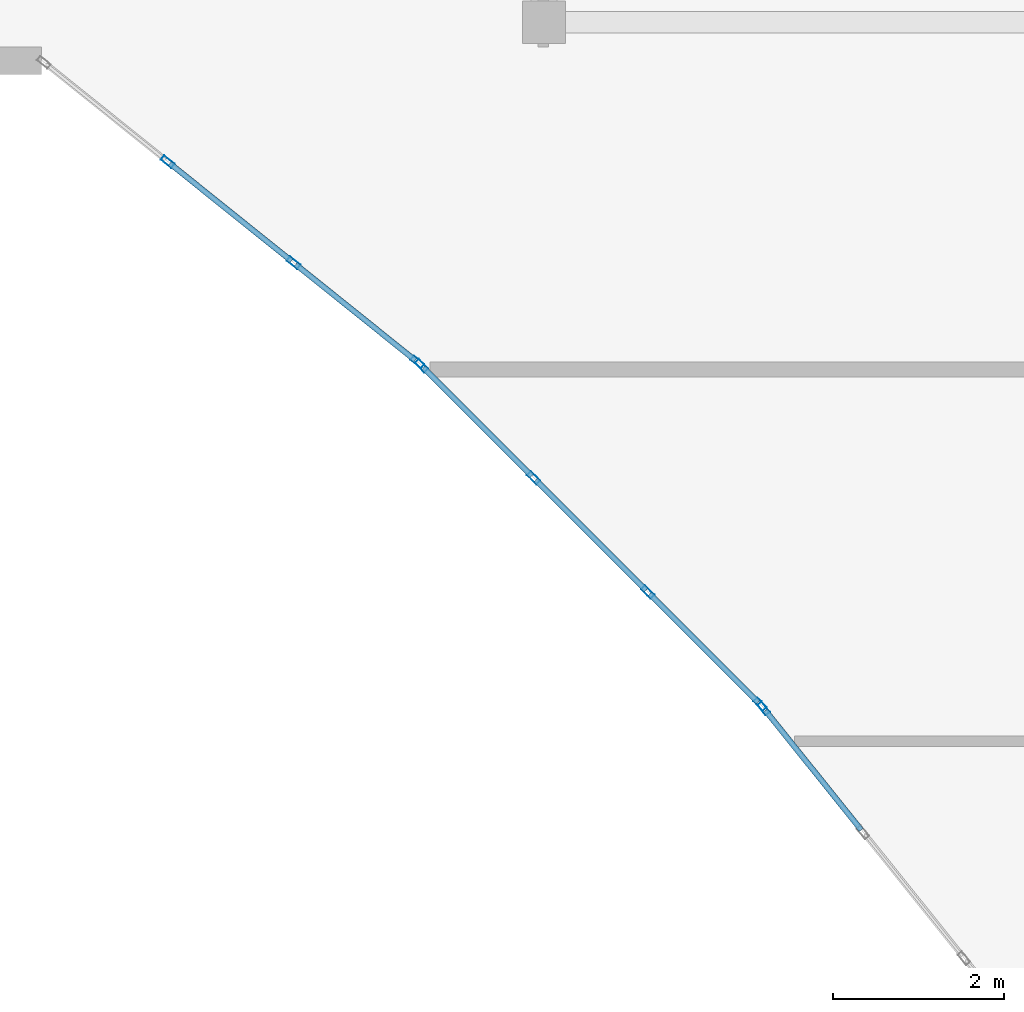
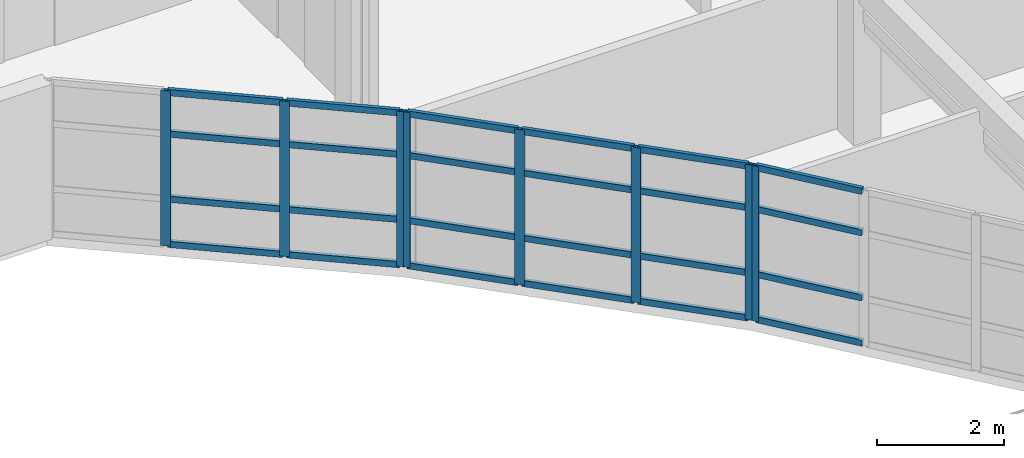
# One storey, part 9 of 30: 32 members, 3 elements without a shape of their own.
"""IFC4 building model written with IfcOpenShell, lengths in metres."""

from ifc_helpers import new_model, si_unit, direction, frame, origin, origin_2d, place, context, subcontext, project, spatial, hollow_rectangle, extrude, material, layer, layer_set, material_profile, profile_set, type_object, element, aggregate, save


model = new_model("IFC4")

# Units and contexts
model_context = context("Model", 3, precision=1e-05, world=origin(), true_north=direction((0.0, 1.0)))
body_context = subcontext(model_context, "Body", "Model", "MODEL_VIEW")
ifc_project = project(units=[si_unit("LENGTHUNIT", "METRE"), si_unit("AREAUNIT", "SQUARE_METRE"), si_unit("VOLUMEUNIT", "CUBIC_METRE"), si_unit("PLANEANGLEUNIT", "RADIAN"), si_unit("MASSUNIT", "GRAM", prefix="KILO")], contexts=[model_context])

# Site, building, storey
site_placement = place(None, origin())
site = spatial("IfcSite", under=ifc_project, at=site_placement, CompositionType="ELEMENT")
building_placement = place(site_placement, origin())
building = spatial("IfcBuilding", under=site, at=building_placement, Name="Keldmere Railside Commons", CompositionType="ELEMENT")
storey_placement = place(building_placement, frame((0.0, 0.0, 36.159912109375)))
storey = spatial("IfcBuildingStorey", under=building, at=storey_placement, Name="L11", CompositionType="ELEMENT", Elevation=36.159912109375)

# Curtain wall, members
ifc_material = material(Name="Thermally Broken Aluminium", Category="aluminium")
ifc_layer_1 = layer(ifc_material, 0.159912109375, Name="Court Chord Wintergarden CW 5400x2850")
ifc_layer_set_1 = layer_set([ifc_layer_1], Name="Thermally Broken Aluminium")
curtain_wall_type_1 = type_object("IfcCurtainWallType", Name="Court Chord Wintergarden CW 5400x2850", PredefinedType="NOTDEFINED", material=ifc_layer_set_1)
curtain_wall_1_placement = place(storey_placement, origin())
curtain_wall_1 = element("IfcCurtainWall", 1, at=curtain_wall_1_placement, inside=storey, type_object=curtain_wall_type_1, Name="CW-13 CW-L11-190", PredefinedType="NOTDEFINED")
ifc_material_profile_1 = material_profile(ifc_material, hollow_rectangle(XDim=0.06494140625, YDim=0.159912109375, WallThickness=0.00390625, at=origin_2d()), Name="ALU-MULL-65x160")
ifc_profile_set_1 = profile_set([ifc_material_profile_1], Name="Thermally Broken Aluminium")
member_type_1 = type_object("IfcMemberType", Name="Unitised Curtain Wall Mullion 65x160", PredefinedType="MULLION", material=ifc_profile_set_1)
member_1_placement = place(storey_placement, frame((160.404541015625, 96.46630859375, 0.0), z_axis=(0.0, 0.0, 1.0), x_axis=(-0.625768080915, -0.780009172323, 0.0)))
member_1 = element("IfcMember", 2, at=member_1_placement, type_object=member_type_1, Name="CW-13 mullion 1", PredefinedType="MULLION", context=body_context, shape_type="SweptSolid", body=[
    extrude(hollow_rectangle(XDim=0.06494140625, YDim=0.159912109375, WallThickness=0.00390625, at=origin_2d()), origin(), (0.0, 0.0, 1.0), 2.97998046875),
])
member_2_placement = place(storey_placement, frame((158.953369140625, 97.630615234375, 0.0), z_axis=(0.0, 0.0, 1.0), x_axis=(-0.625768080915, -0.780009172323, 0.0)))
member_2 = element("IfcMember", 3, at=member_2_placement, type_object=member_type_1, Name="CW-13 mullion 2", PredefinedType="MULLION", context=body_context, shape_type="SweptSolid", body=[
    extrude(hollow_rectangle(XDim=0.06494140625, YDim=0.159912109375, WallThickness=0.00390625, at=origin_2d()), origin(), (0.0, 0.0, 1.0), 2.97998046875),
])
member_3_placement = place(storey_placement, frame((157.4765625, 98.8154296875, 0.0), z_axis=(0.0, 0.0, 1.0), x_axis=(-0.625768080915, -0.780009172323, 0.0)))
member_3 = element("IfcMember", 4, at=member_3_placement, type_object=member_type_1, Name="CW-13 mullion 3", PredefinedType="MULLION", context=body_context, shape_type="SweptSolid", body=[
    extrude(hollow_rectangle(XDim=0.06494140625, YDim=0.159912109375, WallThickness=0.00390625, at=origin_2d()), origin(), (0.0, 0.0, 1.0), 2.97998046875),
])

ifc_layer_2 = layer(ifc_material, 0.159912109375, Name="Court Chord Wintergarden CW 4800x2850")
ifc_layer_set_2 = layer_set([ifc_layer_2], Name="Thermally Broken Aluminium")
curtain_wall_type_2 = type_object("IfcCurtainWallType", Name="Court Chord Wintergarden CW 4800x2850", PredefinedType="NOTDEFINED", material=ifc_layer_set_2)
curtain_wall_2_placement = place(storey_placement, origin())
curtain_wall_2 = element("IfcCurtainWall", 5, at=curtain_wall_2_placement, inside=storey, type_object=curtain_wall_type_2, Name="CW-12 CW-L11-191", PredefinedType="NOTDEFINED")
member_4_placement = place(storey_placement, frame((164.423095703125, 92.452880859375, 0.0), z_axis=(0.0, 0.0, 1.0), x_axis=(-0.707106781187, -0.707106781187, 0.0)))
member_4 = element("IfcMember", 6, at=member_4_placement, type_object=member_type_1, Name="CW-12 mullion 1", PredefinedType="MULLION", context=body_context, shape_type="SweptSolid", body=[
    extrude(hollow_rectangle(XDim=0.06494140625, YDim=0.159912109375, WallThickness=0.00390625, at=origin_2d()), origin(), (0.0, 0.0, 1.0), 2.97998046875),
])
member_5_placement = place(storey_placement, frame((163.107421875, 93.7685546875, 0.0), z_axis=(0.0, 0.0, 1.0), x_axis=(-0.707106781187, -0.707106781187, 0.0)))
member_5 = element("IfcMember", 7, at=member_5_placement, type_object=member_type_1, Name="CW-12 mullion 2", PredefinedType="MULLION", context=body_context, shape_type="SweptSolid", body=[
    extrude(hollow_rectangle(XDim=0.06494140625, YDim=0.159912109375, WallThickness=0.00390625, at=origin_2d()), origin(), (0.0, 0.0, 1.0), 2.97998046875),
])
member_6_placement = place(storey_placement, frame((161.7685546875, 95.107421875, 0.0), z_axis=(0.0, 0.0, 1.0), x_axis=(-0.707106781187, -0.707106781187, 0.0)))
member_6 = element("IfcMember", 8, at=member_6_placement, type_object=member_type_1, Name="CW-12 mullion 3", PredefinedType="MULLION", context=body_context, shape_type="SweptSolid", body=[
    extrude(hollow_rectangle(XDim=0.06494140625, YDim=0.159912109375, WallThickness=0.00390625, at=origin_2d()), origin(), (0.0, 0.0, 1.0), 2.97998046875),
])
member_7_placement = place(storey_placement, frame((160.452880859375, 96.423095703125, 0.0), z_axis=(0.0, 0.0, 1.0), x_axis=(-0.707106781187, -0.707106781187, 0.0)))
member_7 = element("IfcMember", 9, at=member_7_placement, type_object=member_type_1, Name="CW-12 mullion 4", PredefinedType="MULLION", context=body_context, shape_type="SweptSolid", body=[
    extrude(hollow_rectangle(XDim=0.06494140625, YDim=0.159912109375, WallThickness=0.00390625, at=origin_2d()), origin(), (0.0, 0.0, 1.0), 2.97998046875),
])

# Curtain wall, member
curtain_wall_3_placement = place(storey_placement, origin())
curtain_wall_3 = element("IfcCurtainWall", 10, at=curtain_wall_3_placement, inside=storey, type_object=curtain_wall_type_1, Name="CW-13 CW-L11-192", PredefinedType="NOTDEFINED")
member_8_placement = place(storey_placement, frame((164.46630859375, 92.404541015625, 0.0), z_axis=(0.0, 0.0, 1.0), x_axis=(-0.780009172323, -0.625768080915, 0.0)))
member_8 = element("IfcMember", 11, at=member_8_placement, type_object=member_type_1, Name="CW-13 mullion 4", PredefinedType="MULLION", context=body_context, shape_type="SweptSolid", body=[
    extrude(hollow_rectangle(XDim=0.06494140625, YDim=0.159912109375, WallThickness=0.00390625, at=origin_2d()), origin(), (0.0, 0.0, 1.0), 2.97998046875),
])

# Member
ifc_material_profile_2 = material_profile(ifc_material, hollow_rectangle(XDim=0.06494140625, YDim=0.1201171875, WallThickness=0.00390625, at=origin_2d()), Name="ALU-TRAN-65x120")
ifc_profile_set_2 = profile_set([ifc_material_profile_2], Name="Thermally Broken Aluminium")
member_type_2 = type_object("IfcMemberType", Name="Unitised Curtain Wall Transom 65x120", PredefinedType="USERDEFINED", material=ifc_profile_set_2)
member_9_placement = place(storey_placement, frame((160.37939453125, 96.486572265625, 0.032470703125), z_axis=(-0.779979331565, 0.625805275091, 0.0), x_axis=(-0.625805275091, -0.779979331565, 0.0)))
member_9 = element("IfcMember", 12, at=member_9_placement, type_object=member_type_2, Name="CW-13 transom 1.1", ObjectType="TRANSOM", PredefinedType="USERDEFINED", context=body_context, shape_type="SweptSolid", body=[
    extrude(hollow_rectangle(XDim=0.06494140625, YDim=0.1201171875, WallThickness=0.00390625, at=origin_2d()), origin(), (0.0, 0.0, 1.0), 1.795654296875),
])

member_10_placement = place(storey_placement, frame((160.37939453125, 96.486572265625, 0.900146484375), z_axis=(-0.779979331565, 0.625805275091, 0.0), x_axis=(-0.625805275091, -0.779979331565, 0.0)))
member_10 = element("IfcMember", 13, at=member_10_placement, type_object=member_type_2, Name="CW-13 transom 1.2", ObjectType="TRANSOM", PredefinedType="USERDEFINED", context=body_context, shape_type="SweptSolid", body=[
    extrude(hollow_rectangle(XDim=0.06494140625, YDim=0.1201171875, WallThickness=0.00390625, at=origin_2d()), origin(), (0.0, 0.0, 1.0), 1.795654296875),
])

member_11_placement = place(storey_placement, frame((160.37939453125, 96.486572265625, 2.150146484375), z_axis=(-0.779979331565, 0.625805275091, 0.0), x_axis=(-0.625805275091, -0.779979331565, 0.0)))
member_11 = element("IfcMember", 14, at=member_11_placement, type_object=member_type_2, Name="CW-13 transom 1.3", ObjectType="TRANSOM", PredefinedType="USERDEFINED", context=body_context, shape_type="SweptSolid", body=[
    extrude(hollow_rectangle(XDim=0.06494140625, YDim=0.1201171875, WallThickness=0.00390625, at=origin_2d()), origin(), (0.0, 0.0, 1.0), 1.795654296875),
])

member_12_placement = place(storey_placement, frame((160.37939453125, 96.486572265625, 2.947509765625), z_axis=(-0.779979331565, 0.625805275091, 0.0), x_axis=(-0.625805275091, -0.779979331565, 0.0)))
member_12 = element("IfcMember", 15, at=member_12_placement, type_object=member_type_2, Name="CW-13 transom 1.4", ObjectType="TRANSOM", PredefinedType="USERDEFINED", context=body_context, shape_type="SweptSolid", body=[
    extrude(hollow_rectangle(XDim=0.06494140625, YDim=0.1201171875, WallThickness=0.00390625, at=origin_2d()), origin(), (0.0, 0.0, 1.0), 1.795654296875),
])

member_13_placement = place(storey_placement, frame((158.927978515625, 97.651123046875, 0.032470703125), z_axis=(-0.78007338409, 0.625688033635, 0.0), x_axis=(-0.625688033635, -0.78007338409, 0.0)))
member_13 = element("IfcMember", 16, at=member_13_placement, type_object=member_type_2, Name="CW-13 transom 2.1", ObjectType="TRANSOM", PredefinedType="USERDEFINED", context=body_context, shape_type="SweptSolid", body=[
    extrude(hollow_rectangle(XDim=0.06494140625, YDim=0.1201171875, WallThickness=0.00390625, at=origin_2d()), origin(), (0.0, 0.0, 1.0), 1.828125),
])

member_14_placement = place(storey_placement, frame((158.927978515625, 97.651123046875, 0.900146484375), z_axis=(-0.78007338409, 0.625688033635, 0.0), x_axis=(-0.625688033635, -0.78007338409, 0.0)))
member_14 = element("IfcMember", 17, at=member_14_placement, type_object=member_type_2, Name="CW-13 transom 2.2", ObjectType="TRANSOM", PredefinedType="USERDEFINED", context=body_context, shape_type="SweptSolid", body=[
    extrude(hollow_rectangle(XDim=0.06494140625, YDim=0.1201171875, WallThickness=0.00390625, at=origin_2d()), origin(), (0.0, 0.0, 1.0), 1.828125),
])

member_15_placement = place(storey_placement, frame((158.927978515625, 97.651123046875, 2.150146484375), z_axis=(-0.78007338409, 0.625688033635, 0.0), x_axis=(-0.625688033635, -0.78007338409, 0.0)))
member_15 = element("IfcMember", 18, at=member_15_placement, type_object=member_type_2, Name="CW-13 transom 2.3", ObjectType="TRANSOM", PredefinedType="USERDEFINED", context=body_context, shape_type="SweptSolid", body=[
    extrude(hollow_rectangle(XDim=0.06494140625, YDim=0.1201171875, WallThickness=0.00390625, at=origin_2d()), origin(), (0.0, 0.0, 1.0), 1.828125),
])

member_16_placement = place(storey_placement, frame((158.927978515625, 97.651123046875, 2.947509765625), z_axis=(-0.78007338409, 0.625688033635, 0.0), x_axis=(-0.625688033635, -0.78007338409, 0.0)))
member_16 = element("IfcMember", 19, at=member_16_placement, type_object=member_type_2, Name="CW-13 transom 2.4", ObjectType="TRANSOM", PredefinedType="USERDEFINED", context=body_context, shape_type="SweptSolid", body=[
    extrude(hollow_rectangle(XDim=0.06494140625, YDim=0.1201171875, WallThickness=0.00390625, at=origin_2d()), origin(), (0.0, 0.0, 1.0), 1.828125),
])

aggregate(curtain_wall_1, [member_1, member_2, member_3, member_9, member_10, member_11, member_12, member_13, member_14, member_15, member_16])

member_17_placement = place(storey_placement, frame((164.400146484375, 92.47607421875, 0.032470703125), z_axis=(-0.707174762418, 0.707038793419, 0.0), x_axis=(-0.707038793419, -0.707174762418, 0.0)))
member_17 = element("IfcMember", 20, at=member_17_placement, type_object=member_type_2, Name="CW-12 transom 1.1", ObjectType="TRANSOM", PredefinedType="USERDEFINED", context=body_context, shape_type="SweptSolid", body=[
    extrude(hollow_rectangle(XDim=0.06494140625, YDim=0.1201171875, WallThickness=0.00390625, at=origin_2d()), origin(), (0.0, 0.0, 1.0), 1.795654296875),
])

member_18_placement = place(storey_placement, frame((164.400146484375, 92.47607421875, 0.900146484375), z_axis=(-0.707174762418, 0.707038793419, 0.0), x_axis=(-0.707038793419, -0.707174762418, 0.0)))
member_18 = element("IfcMember", 21, at=member_18_placement, type_object=member_type_2, Name="CW-12 transom 1.2", ObjectType="TRANSOM", PredefinedType="USERDEFINED", context=body_context, shape_type="SweptSolid", body=[
    extrude(hollow_rectangle(XDim=0.06494140625, YDim=0.1201171875, WallThickness=0.00390625, at=origin_2d()), origin(), (0.0, 0.0, 1.0), 1.795654296875),
])

member_19_placement = place(storey_placement, frame((164.400146484375, 92.47607421875, 2.150146484375), z_axis=(-0.707174762418, 0.707038793419, 0.0), x_axis=(-0.707038793419, -0.707174762418, 0.0)))
member_19 = element("IfcMember", 22, at=member_19_placement, type_object=member_type_2, Name="CW-12 transom 1.3", ObjectType="TRANSOM", PredefinedType="USERDEFINED", context=body_context, shape_type="SweptSolid", body=[
    extrude(hollow_rectangle(XDim=0.06494140625, YDim=0.1201171875, WallThickness=0.00390625, at=origin_2d()), origin(), (0.0, 0.0, 1.0), 1.795654296875),
])

member_20_placement = place(storey_placement, frame((164.400146484375, 92.47607421875, 2.947509765625), z_axis=(-0.707174762418, 0.707038793419, 0.0), x_axis=(-0.707038793419, -0.707174762418, 0.0)))
member_20 = element("IfcMember", 23, at=member_20_placement, type_object=member_type_2, Name="CW-12 transom 1.4", ObjectType="TRANSOM", PredefinedType="USERDEFINED", context=body_context, shape_type="SweptSolid", body=[
    extrude(hollow_rectangle(XDim=0.06494140625, YDim=0.1201171875, WallThickness=0.00390625, at=origin_2d()), origin(), (0.0, 0.0, 1.0), 1.795654296875),
])

member_21_placement = place(storey_placement, frame((163.08447265625, 93.791748046875, 0.032470703125), z_axis=(-0.707106781187, 0.707106781187, 0.0), x_axis=(-0.707106781187, -0.707106781187, 0.0)))
member_21 = element("IfcMember", 24, at=member_21_placement, type_object=member_type_2, Name="CW-12 transom 2.1", ObjectType="TRANSOM", PredefinedType="USERDEFINED", context=body_context, shape_type="SweptSolid", body=[
    extrude(hollow_rectangle(XDim=0.06494140625, YDim=0.1201171875, WallThickness=0.00390625, at=origin_2d()), origin(), (0.0, 0.0, 1.0), 1.828125),
])

member_22_placement = place(storey_placement, frame((163.08447265625, 93.791748046875, 0.900146484375), z_axis=(-0.707106781187, 0.707106781187, 0.0), x_axis=(-0.707106781187, -0.707106781187, 0.0)))
member_22 = element("IfcMember", 25, at=member_22_placement, type_object=member_type_2, Name="CW-12 transom 2.2", ObjectType="TRANSOM", PredefinedType="USERDEFINED", context=body_context, shape_type="SweptSolid", body=[
    extrude(hollow_rectangle(XDim=0.06494140625, YDim=0.1201171875, WallThickness=0.00390625, at=origin_2d()), origin(), (0.0, 0.0, 1.0), 1.828125),
])

member_23_placement = place(storey_placement, frame((163.08447265625, 93.791748046875, 2.150146484375), z_axis=(-0.707106781187, 0.707106781187, 0.0), x_axis=(-0.707106781187, -0.707106781187, 0.0)))
member_23 = element("IfcMember", 26, at=member_23_placement, type_object=member_type_2, Name="CW-12 transom 2.3", ObjectType="TRANSOM", PredefinedType="USERDEFINED", context=body_context, shape_type="SweptSolid", body=[
    extrude(hollow_rectangle(XDim=0.06494140625, YDim=0.1201171875, WallThickness=0.00390625, at=origin_2d()), origin(), (0.0, 0.0, 1.0), 1.828125),
])

member_24_placement = place(storey_placement, frame((163.08447265625, 93.791748046875, 2.947509765625), z_axis=(-0.707106781187, 0.707106781187, 0.0), x_axis=(-0.707106781187, -0.707106781187, 0.0)))
member_24 = element("IfcMember", 27, at=member_24_placement, type_object=member_type_2, Name="CW-12 transom 2.4", ObjectType="TRANSOM", PredefinedType="USERDEFINED", context=body_context, shape_type="SweptSolid", body=[
    extrude(hollow_rectangle(XDim=0.06494140625, YDim=0.1201171875, WallThickness=0.00390625, at=origin_2d()), origin(), (0.0, 0.0, 1.0), 1.828125),
])

member_25_placement = place(storey_placement, frame((161.74560546875, 95.13037109375, 0.032470703125), z_axis=(-0.707038793419, 0.707174762418, 0.0), x_axis=(-0.707174762418, -0.707038793419, 0.0)))
member_25 = element("IfcMember", 28, at=member_25_placement, type_object=member_type_2, Name="CW-12 transom 3.1", ObjectType="TRANSOM", PredefinedType="USERDEFINED", context=body_context, shape_type="SweptSolid", body=[
    extrude(hollow_rectangle(XDim=0.06494140625, YDim=0.1201171875, WallThickness=0.00390625, at=origin_2d()), origin(), (0.0, 0.0, 1.0), 1.795654296875),
])

member_26_placement = place(storey_placement, frame((161.74560546875, 95.13037109375, 0.900146484375), z_axis=(-0.707038793419, 0.707174762418, 0.0), x_axis=(-0.707174762418, -0.707038793419, 0.0)))
member_26 = element("IfcMember", 29, at=member_26_placement, type_object=member_type_2, Name="CW-12 transom 3.2", ObjectType="TRANSOM", PredefinedType="USERDEFINED", context=body_context, shape_type="SweptSolid", body=[
    extrude(hollow_rectangle(XDim=0.06494140625, YDim=0.1201171875, WallThickness=0.00390625, at=origin_2d()), origin(), (0.0, 0.0, 1.0), 1.795654296875),
])

member_27_placement = place(storey_placement, frame((161.74560546875, 95.13037109375, 2.150146484375), z_axis=(-0.707038793419, 0.707174762418, 0.0), x_axis=(-0.707174762418, -0.707038793419, 0.0)))
member_27 = element("IfcMember", 30, at=member_27_placement, type_object=member_type_2, Name="CW-12 transom 3.3", ObjectType="TRANSOM", PredefinedType="USERDEFINED", context=body_context, shape_type="SweptSolid", body=[
    extrude(hollow_rectangle(XDim=0.06494140625, YDim=0.1201171875, WallThickness=0.00390625, at=origin_2d()), origin(), (0.0, 0.0, 1.0), 1.795654296875),
])

member_28_placement = place(storey_placement, frame((161.74560546875, 95.13037109375, 2.947509765625), z_axis=(-0.707038793419, 0.707174762418, 0.0), x_axis=(-0.707174762418, -0.707038793419, 0.0)))
member_28 = element("IfcMember", 31, at=member_28_placement, type_object=member_type_2, Name="CW-12 transom 3.4", ObjectType="TRANSOM", PredefinedType="USERDEFINED", context=body_context, shape_type="SweptSolid", body=[
    extrude(hollow_rectangle(XDim=0.06494140625, YDim=0.1201171875, WallThickness=0.00390625, at=origin_2d()), origin(), (0.0, 0.0, 1.0), 1.795654296875),
])

aggregate(curtain_wall_2, [member_4, member_5, member_6, member_7, member_17, member_18, member_19, member_20, member_21, member_22, member_23, member_24, member_25, member_26, member_27, member_28])

member_29_placement = place(storey_placement, frame((165.6103515625, 90.978759765625, 0.032470703125), z_axis=(-0.625805275091, 0.779979331565, 0.0), x_axis=(-0.779979331565, -0.625805275091, 0.0)))
member_29 = element("IfcMember", 32, at=member_29_placement, type_object=member_type_2, Name="CW-13 transom 3.1", ObjectType="TRANSOM", PredefinedType="USERDEFINED", context=body_context, shape_type="SweptSolid", body=[
    extrude(hollow_rectangle(XDim=0.06494140625, YDim=0.1201171875, WallThickness=0.00390625, at=origin_2d()), origin(), (0.0, 0.0, 1.0), 1.795654296875),
])

member_30_placement = place(storey_placement, frame((165.6103515625, 90.978759765625, 0.900146484375), z_axis=(-0.625805275091, 0.779979331565, 0.0), x_axis=(-0.779979331565, -0.625805275091, 0.0)))
member_30 = element("IfcMember", 33, at=member_30_placement, type_object=member_type_2, Name="CW-13 transom 3.2", ObjectType="TRANSOM", PredefinedType="USERDEFINED", context=body_context, shape_type="SweptSolid", body=[
    extrude(hollow_rectangle(XDim=0.06494140625, YDim=0.1201171875, WallThickness=0.00390625, at=origin_2d()), origin(), (0.0, 0.0, 1.0), 1.795654296875),
])

member_31_placement = place(storey_placement, frame((165.6103515625, 90.978759765625, 2.150146484375), z_axis=(-0.625805275091, 0.779979331565, 0.0), x_axis=(-0.779979331565, -0.625805275091, 0.0)))
member_31 = element("IfcMember", 34, at=member_31_placement, type_object=member_type_2, Name="CW-13 transom 3.3", ObjectType="TRANSOM", PredefinedType="USERDEFINED", context=body_context, shape_type="SweptSolid", body=[
    extrude(hollow_rectangle(XDim=0.06494140625, YDim=0.1201171875, WallThickness=0.00390625, at=origin_2d()), origin(), (0.0, 0.0, 1.0), 1.795654296875),
])

member_32_placement = place(storey_placement, frame((165.6103515625, 90.978759765625, 2.947509765625), z_axis=(-0.625805275091, 0.779979331565, 0.0), x_axis=(-0.779979331565, -0.625805275091, 0.0)))
member_32 = element("IfcMember", 35, at=member_32_placement, type_object=member_type_2, Name="CW-13 transom 3.4", ObjectType="TRANSOM", PredefinedType="USERDEFINED", context=body_context, shape_type="SweptSolid", body=[
    extrude(hollow_rectangle(XDim=0.06494140625, YDim=0.1201171875, WallThickness=0.00390625, at=origin_2d()), origin(), (0.0, 0.0, 1.0), 1.795654296875),
])

aggregate(curtain_wall_3, [member_8, member_29, member_30, member_31, member_32])

save(model, "model.ifc")
